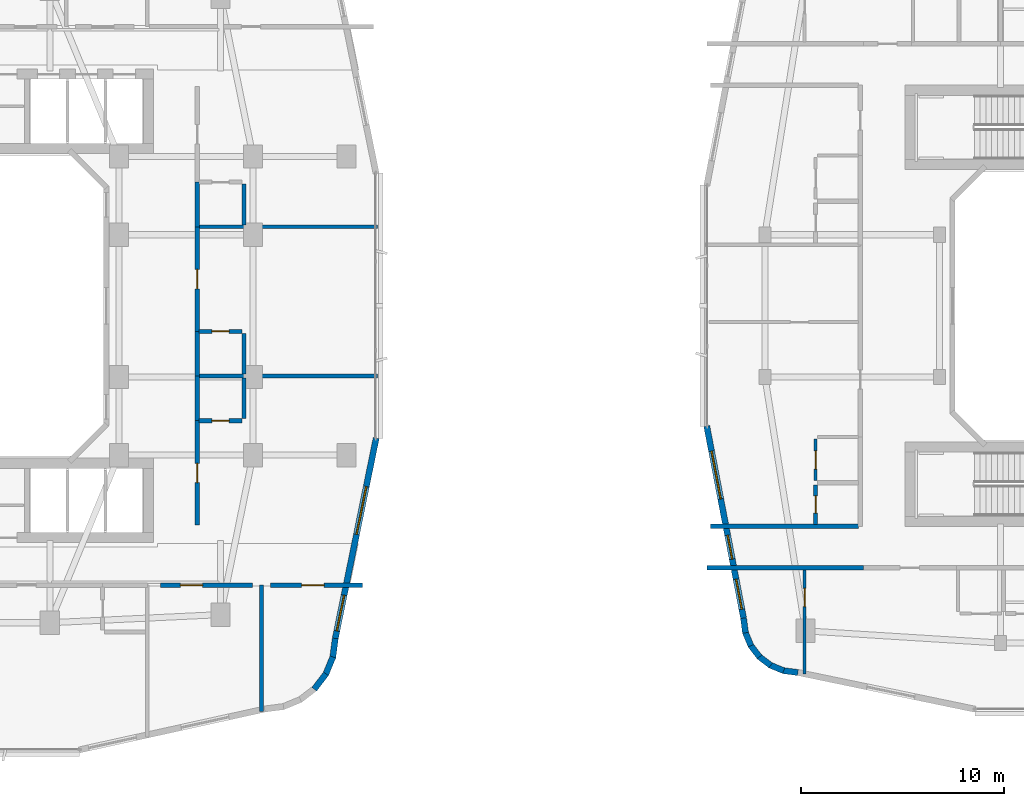
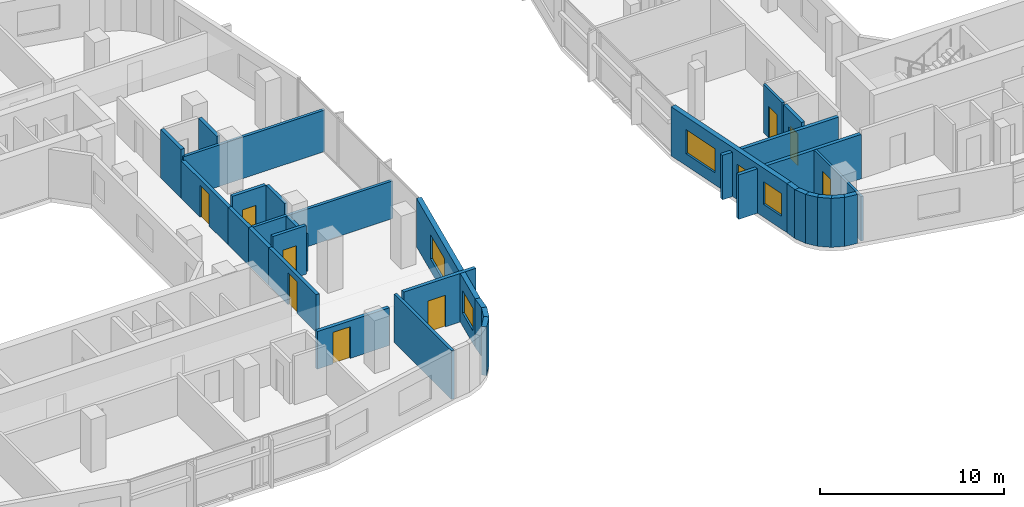
# One storey, part 15 of 27: 31 walls, 9 doors, 5 windows, 14 openings.
"""IFC4 building model written with IfcOpenShell, lengths in metres."""

import ifcopenshell
import ifcopenshell.guid

model = None  # the IFC model being written
_history = None  # IfcOwnerHistory: only IFC2X3 demands one
_inside = {}  # id of a spatial element -> (the spatial element, [elements in it])
_under = {}  # id of a project, library or spatial element -> (it, [spatial elements below it])
_declared = {}  # id of a project -> (the project, [libraries it declares])
_typed = {}  # id of a type object -> (the type object, [elements of that type])
_made_of = {}  # id of a material, layer set ... -> (it, [elements and type objects made of it])


def new_model(schema):
    """Start an empty IFC model of exactly this schema.

    Asked for "IFC4X3", IfcOpenShell would pick the latest addendum, in which some entities
    have other attributes; the version numbers below select the first issue.
    IFC2X3 requires an IfcOwnerHistory on every rooted entity: one is made here for all.
    """
    global model, _history
    if schema == "IFC4X3":
        model = ifcopenshell.file(schema_version=(4, 3, 0, 0))
    else:
        model = ifcopenshell.file(schema=schema)
    _inside.clear()
    _under.clear()
    _declared.clear()
    _typed.clear()
    _made_of.clear()
    _history = None
    if model.schema == "IFC2X3":
        org = make("IfcOrganization", Name="unknown")
        user = make(
            "IfcPersonAndOrganization",
            ThePerson=make("IfcPerson", FamilyName="unknown"),
            TheOrganization=org,
        )
        app = make(
            "IfcApplication",
            ApplicationDeveloper=org,
            Version="unknown",
            ApplicationFullName="unknown",
            ApplicationIdentifier="unknown",
        )
        _history = make(
            "IfcOwnerHistory",
            OwningUser=user,
            OwningApplication=app,
            ChangeAction="ADDED",
            CreationDate=0,
        )
    return model


def make(cls, **values):
    """One entity of the class cls with the attributes given. An attribute that is None is left unset."""
    return model.create_entity(
        cls, **{name: value for name, value in values.items() if value is not None}
    )


def rooted(cls, **values):
    """An entity with a GlobalId (a new one), such as an element, a storey or a relation."""
    return make(cls, GlobalId=ifcopenshell.guid.new(), OwnerHistory=_history, **values)


def si_unit(unit_type, name, prefix=None):
    """IfcSIUnit, for example si_unit("LENGTHUNIT", "METRE", prefix="MILLI")."""
    return make("IfcSIUnit", UnitType=unit_type, Prefix=prefix, Name=name)


def derived_unit(unit_type, elements):
    """IfcDerivedUnit: a product of units, each with its exponent."""
    return make(
        "IfcDerivedUnit",
        Elements=[
            make("IfcDerivedUnitElement", Unit=unit, Exponent=power)
            for unit, power in elements
        ],
        UnitType=unit_type,
    )


def assignment(units):
    """IfcUnitAssignment: the units of a project."""
    return None if units is None else make("IfcUnitAssignment", Units=units)


def point(xyz):
    """IfcCartesianPoint."""
    return None if xyz is None else make("IfcCartesianPoint", Coordinates=xyz)


def direction(xyz):
    """IfcDirection."""
    return None if xyz is None else make("IfcDirection", DirectionRatios=xyz)


def frame(location, z_axis=None, x_axis=None):
    """IfcAxis2Placement3D, a coordinate frame: its origin and axes. An axis left out is left unset."""
    return make(
        "IfcAxis2Placement3D",
        Location=point(location),
        Axis=direction(z_axis),
        RefDirection=direction(x_axis),
    )


def frame_2d(location, x_axis=None):
    """IfcAxis2Placement2D, a coordinate frame in the plane: its origin and x axis."""
    return make(
        "IfcAxis2Placement2D", Location=point(location), RefDirection=direction(x_axis)
    )


def origin():
    """The frame at (0, 0, 0) with its axes left unset."""
    return frame((0.0, 0.0, 0.0))


def place(relative_to, where):
    """IfcLocalPlacement: puts the frame where relative to a parent placement (None: the world)."""
    return make(
        "IfcLocalPlacement", PlacementRelTo=relative_to, RelativePlacement=where
    )


def context(
    kind, dimensions, precision=None, world=None, true_north=None, identifier=None
):
    """IfcGeometricRepresentationContext, for example the 3D "Model" context."""
    return make(
        "IfcGeometricRepresentationContext",
        ContextIdentifier=identifier,
        ContextType=kind,
        CoordinateSpaceDimension=dimensions,
        Precision=precision,
        WorldCoordinateSystem=world,
        TrueNorth=true_north,
    )


def subcontext(parent, identifier, kind, view, scale=None):
    """IfcGeometricRepresentationSubContext, for example "Body" below "Model"."""
    return make(
        "IfcGeometricRepresentationSubContext",
        ContextIdentifier=identifier,
        ContextType=kind,
        ParentContext=parent,
        TargetScale=scale,
        TargetView=view,
    )


def project(units=None, contexts=None):
    """IfcProject with its units and contexts."""
    return rooted(
        "IfcProject",
        Name="project",
        RepresentationContexts=contexts,
        UnitsInContext=assignment(units),
    )


def spatial(cls, under=None, at=None, **own):
    """A site, building, storey or space (cls), placed at a placement, below another one or the project."""
    s = rooted(cls, ObjectPlacement=at, **own)
    if under is not None:
        _under.setdefault(under.id(), (under, []))[1].append(s)
    return s


def profile(cls, at=None, kind="AREA", **sizes):
    """A parametric profile (cls). Its sizes go by their IFC names, for example OverallWidth=200.0."""
    return make(cls, ProfileType=kind, Position=at, **sizes)


def rectangle(**sizes):
    """IfcRectangleProfileDef."""
    return profile("IfcRectangleProfileDef", **sizes)


def extrude(swept, where, along, depth):
    """IfcExtrudedAreaSolid: the profile swept, set in the frame where, extruded along a direction by depth."""
    return make(
        "IfcExtrudedAreaSolid",
        SweptArea=swept,
        Position=where,
        ExtrudedDirection=direction(along),
        Depth=depth,
    )


def shape(context_of_items, identifier, shape_type, items):
    """IfcShapeRepresentation: the items that make up one representation, for example the "Body"."""
    return make(
        "IfcShapeRepresentation",
        ContextOfItems=context_of_items,
        RepresentationIdentifier=identifier,
        RepresentationType=shape_type,
        Items=items,
    )


def material(Name=None, Category=None):
    """IfcMaterial."""
    return make("IfcMaterial", Name=Name, Category=Category)


def layer(
    of_material, thickness, ventilated=None, Name=None, Category=None, Priority=None
):
    """IfcMaterialLayer: one layer of a wall or slab, of a material (None: an air gap)."""
    return make(
        "IfcMaterialLayer",
        Material=of_material,
        LayerThickness=thickness,
        IsVentilated=ventilated,
        Name=Name,
        Category=Category,
        Priority=Priority,
    )


def layer_set(layers, Name=None):
    """IfcMaterialLayerSet."""
    return make("IfcMaterialLayerSet", MaterialLayers=layers, LayerSetName=Name)


def made_of(thing, what):
    """Note that an element or type object is made of a material, layer set ...; save() writes the relation."""
    if what is not None:
        _made_of.setdefault(what.id(), (what, []))[1].append(thing)
    return thing


def type_object(cls, material=None, **own):
    """A type object (cls), such as IfcWallType, which elements share."""
    return made_of(rooted(cls, **own), material)


def element(
    cls,
    number,
    at=None,
    inside=None,
    cuts=None,
    type_object=None,
    material=None,
    context=None,
    identifier="Body",
    shape_type=None,
    held_by="IfcProductDefinitionShape",
    body=None,
    shapes=None,
    **own,
):
    """One element of the class cls, such as IfcWall. Its Tag is "e" and its number.

    at: its placement. inside: the storey or other place that contains it. cuts: it is an
    opening in that element (IfcRelVoidsElement). A single representation is given by context,
    identifier, shape_type and body (its items); several are given by shapes. held_by: the class
    of the entity that holds the representations. save() writes the other relations.
    """
    e = rooted(cls, Tag="e%d" % number, ObjectPlacement=at, **own)
    if body is not None:
        shapes = [shape(context, identifier, shape_type, body)]
    if shapes is not None:
        e.Representation = make(held_by, Representations=shapes)
    if inside is not None:
        _inside.setdefault(inside.id(), (inside, []))[1].append(e)
    if cuts is not None:
        rooted(
            "IfcRelVoidsElement", RelatingBuildingElement=cuts, RelatedOpeningElement=e
        )
    if type_object is not None:
        _typed.setdefault(type_object.id(), (type_object, []))[1].append(e)
    return made_of(e, material)


def fill(opening, filler):
    """IfcRelFillsElement: the door or window that sits in an opening."""
    return rooted(
        "IfcRelFillsElement",
        RelatingOpeningElement=opening,
        RelatedBuildingElement=filler,
    )


def aggregate(whole, parts):
    """IfcRelAggregates: a whole, such as a stair, and the parts it consists of."""
    return rooted("IfcRelAggregates", RelatingObject=whole, RelatedObjects=parts)


def save(model, path):
    """Write the relations noted so far, then the file.

    IfcRelAggregates (storeys below a building ...), IfcRelContainedInSpatialStructure (elements
    in a storey), IfcRelDefinesByType, IfcRelAssociatesMaterial and IfcRelDeclares: one each for
    every whole, place, type object, material and project.
    """
    for whole, parts in _under.values():
        aggregate(whole, parts)
    for where, things in _inside.values():
        rooted(
            "IfcRelContainedInSpatialStructure",
            RelatedElements=things,
            RelatingStructure=where,
        )
    for kind, things in _typed.values():
        rooted("IfcRelDefinesByType", RelatedObjects=things, RelatingType=kind)
    for what, things in _made_of.values():
        rooted("IfcRelAssociatesMaterial", RelatedObjects=things, RelatingMaterial=what)
    for by, libraries in _declared.values():
        rooted("IfcRelDeclares", RelatingContext=by, RelatedDefinitions=libraries)
    model.write(path)


model = new_model("IFC4")

# Units and contexts
model_context = context("Model", 3, precision=1e-05, world=origin(), true_north=direction((0.0, 1.0)))
body_context = subcontext(model_context, "Body", "Model", "MODEL_VIEW")
ifc_project = project(units=[si_unit("LENGTHUNIT", "METRE"), si_unit("AREAUNIT", "SQUARE_METRE"), si_unit("VOLUMEUNIT", "CUBIC_METRE"), si_unit("PLANEANGLEUNIT", "RADIAN"), si_unit("MASSUNIT", "GRAM", prefix="KILO"), derived_unit("THERMALTRANSMITTANCEUNIT", [(si_unit("POWERUNIT", "WATT"), 1), (si_unit("LENGTHUNIT", "METRE"), -2), (si_unit("THERMODYNAMICTEMPERATUREUNIT", "KELVIN"), -1)])], contexts=[model_context])

# Site, building, storey
site_placement = place(None, origin())
site = spatial("IfcSite", under=ifc_project, at=site_placement, CompositionType="ELEMENT")
building_placement = place(site_placement, origin())
building = spatial("IfcBuilding", under=site, at=building_placement, Name="Kivonza Crest Hotel", CompositionType="ELEMENT")
storey_placement = place(building_placement, frame((0.0, 0.0, 76.5)))
storey = spatial("IfcBuildingStorey", under=building, at=storey_placement, Name="L20", CompositionType="ELEMENT", Elevation=76.5)

# Walls
ifc_material_1 = material(Name="High-density acoustic masonry inter-tenancy wall", Category="masonry")
ifc_layer_1 = layer(ifc_material_1, 0.179931640625)
ifc_layer_set_1 = layer_set([ifc_layer_1], Name="High-density acoustic masonry inter-tenancy wall")
wall_type_1 = type_object("IfcWallType", Name="WL-ACOU-180", PredefinedType="SOLIDWALL", material=ifc_layer_set_1)
wall_1_placement = place(storey_placement, frame((36.219970703125, 5.02197265625, 0.0), z_axis=(0.0, 0.0, 1.0), x_axis=(0.0, 1.0, 0.0)))
element("IfcWall", 1, at=wall_1_placement, inside=storey, type_object=wall_type_1, Name="L20 interior partition WA-L20-T1S-SPDIV", PredefinedType="SOLIDWALL", context=body_context, shape_type="SweptSolid", body=[
    extrude(rectangle(XDim=6.22802734375, YDim=0.179931640625, at=frame_2d((3.114013671875, 0.0))), origin(), (0.0, 0.0, 1.0), 3.219970703125),
])
wall_2_placement = place(storey_placement, frame((33.050048828125, 21.5439453125, 0.0), z_axis=(0.0, 0.0, 1.0), x_axis=(1.0, 0.0, 0.0)))
element("IfcWall", 2, at=wall_2_placement, inside=storey, type_object=wall_type_1, Name="L20 interior partition WA-L20-T1E-DIV1", PredefinedType="SOLIDWALL", context=body_context, shape_type="SweptSolid", body=[
    extrude(rectangle(XDim=8.889892578125, YDim=0.179931640625, at=frame_2d((4.44482421875, 0.0))), origin(), (0.0, 0.0, 1.0), 2.4951171875),
])
wall_3_placement = place(storey_placement, frame((33.050048828125, 28.887939453125, 0.0), z_axis=(0.0, 0.0, 1.0), x_axis=(1.0, 0.0, 0.0)))
element("IfcWall", 3, at=wall_3_placement, inside=storey, type_object=wall_type_1, Name="L20 interior partition WA-L20-T1E-DIV2", PredefinedType="SOLIDWALL", context=body_context, shape_type="SweptSolid", body=[
    extrude(rectangle(XDim=8.889892578125, YDim=0.179931640625, at=frame_2d((4.44482421875, 0.0))), origin(), (0.0, 0.0, 1.0), 2.7451171875),
])

# Wall, opening, door
ifc_material_2 = material(Name="Autoclaved aerated concrete blockwork", Category="masonry")
ifc_layer_2 = layer(ifc_material_2, 0.219970703125)
ifc_layer_set_2 = layer_set([ifc_layer_2], Name="Autoclaved aerated concrete blockwork")
wall_type_2 = type_object("IfcWallType", Name="WL-ACOU-220", PredefinedType="SOLIDWALL", material=ifc_layer_set_2)
wall_4_placement = place(storey_placement, frame((31.25, 11.25, 0.0), z_axis=(0.0, 0.0, 1.0), x_axis=(1.0, 0.0, 0.0)))
wall_4 = element("IfcWall", 4, at=wall_4_placement, inside=storey, type_object=wall_type_2, Name="L20 interior partition WA-L20-Z1-BRD1-N", PredefinedType="SOLIDWALL", context=body_context, shape_type="SweptSolid", body=[
    extrude(rectangle(XDim=4.52001953125, YDim=0.219970703125, at=frame_2d((2.260009765625, 0.0))), origin(), (0.0, 0.0, 1.0), 2.4951171875),
])
opening_1_placement = place(wall_4_placement, frame((0.968994140625, 0.0, 0.0)))
opening_1 = element("IfcOpeningElement", 5, at=opening_1_placement, cuts=wall_4, Name="Opening DF-60M", PredefinedType="OPENING", context=body_context, shape_type="SweptSolid", body=[
    extrude(rectangle(XDim=1.10009765625, YDim=2.10009765625, at=frame_2d((0.550048828125, 1.050048828125))), frame((0.0, 0.1201171875, 0.0), z_axis=(0.0, -1.0, 0.0), x_axis=(1.0, 0.0, 0.0)), (0.0, 0.0, 1.0), 0.239990234375),
])
ifc_material_3 = material(Name="Hardwood timber oak", Category="wood")
door_type_1 = type_object("IfcDoorType", Name="DR-FD60-1100", OperationType="NOTDEFINED", PredefinedType="DOOR", material=ifc_material_3)
door_1_placement = place(opening_1_placement, frame((1.10009765625, 0.0, 0.0), z_axis=(0.0, 0.0, 1.0), x_axis=(-1.0, 0.0, 0.0)))
door_1 = element("IfcDoor", 6, at=door_1_placement, inside=storey, type_object=door_type_1, Name="L20 Zone 1 Executive Meeting Office door", OperationType="SINGLE_SWING_RIGHT", OverallHeight=2.10009765625, OverallWidth=1.10009765625, PredefinedType="DOOR", context=body_context, shape_type="SweptSolid", body=[
    extrude(rectangle(XDim=1.10009765625, YDim=2.10009765625, at=frame_2d((0.550048828125, 1.050048828125))), frame((0.0, 0.02490234375, 0.0), z_axis=(0.0, -1.0, 0.0), x_axis=(1.0, 0.0, 0.0)), (0.0, 0.0, 1.0), 0.050048828125),
])
fill(opening_1, door_1)

wall_5_placement = place(storey_placement, frame((36.669921875, 11.25, 0.0), z_axis=(0.0, 0.0, 1.0), x_axis=(1.0, 0.0, 0.0)))
wall_5 = element("IfcWall", 7, at=wall_5_placement, inside=storey, type_object=wall_type_2, Name="L20 interior partition WA-L20-Z1-BRD2-N", PredefinedType="SOLIDWALL", context=body_context, shape_type="SweptSolid", body=[
    extrude(rectangle(XDim=4.52001953125, YDim=0.219970703125, at=frame_2d((2.260009765625, 0.0))), origin(), (0.0, 0.0, 1.0), 3.219970703125),
])
opening_2_placement = place(wall_5_placement, frame((1.529052734375, 0.0, 0.0)))
opening_2 = element("IfcOpeningElement", 8, at=opening_2_placement, cuts=wall_5, Name="Opening DF-60M", PredefinedType="OPENING", context=body_context, shape_type="SweptSolid", body=[
    extrude(rectangle(XDim=1.10009765625, YDim=2.10009765625, at=frame_2d((0.550048828125, 1.050048828125))), frame((0.0, 0.1201171875, 0.0), z_axis=(0.0, -1.0, 0.0), x_axis=(1.0, 0.0, 0.0)), (0.0, 0.0, 1.0), 0.239990234375),
])
door_2_placement = place(opening_2_placement, frame((1.10009765625, 0.0, 0.0), z_axis=(0.0, 0.0, 1.0), x_axis=(-1.0, 0.0, 0.0)))
door_2 = element("IfcDoor", 9, at=door_2_placement, inside=storey, type_object=door_type_1, Name="L20 Zone 1 Business Study Office door", OperationType="SINGLE_SWING_LEFT", OverallHeight=2.10009765625, OverallWidth=1.10009765625, PredefinedType="DOOR", context=body_context, shape_type="SweptSolid", body=[
    extrude(rectangle(XDim=1.10009765625, YDim=2.10009765625, at=frame_2d((0.550048828125, 1.050048828125))), frame((0.0, 0.02490234375, 0.0), z_axis=(0.0, -1.0, 0.0), x_axis=(1.0, 0.0, 0.0)), (0.0, 0.0, 1.0), 0.050048828125),
])
fill(opening_2, door_2)

# Wall
wall_6_placement = place(storey_placement, frame((33.050048828125, 19.343994140625, 0.0), z_axis=(0.0, 0.0, 1.0), x_axis=(0.0, 1.0, 0.0)))
element("IfcWall", 10, at=wall_6_placement, inside=storey, type_object=wall_type_2, Name="L20 interior partition WA-L20-E06-BCORR", PredefinedType="SOLIDWALL", context=body_context, shape_type="SweptSolid", body=[
    extrude(rectangle(XDim=2.199951171875, YDim=0.219970703125, at=frame_2d((1.10009765625, 0.0))), origin(), (0.0, 0.0, 1.0), 2.4951171875),
])

# Wall, opening, door
wall_7_placement = place(storey_placement, frame((33.050048828125, 14.199951171875, 0.0), z_axis=(0.0, 0.0, 1.0), x_axis=(0.0, 1.0, 0.0)))
wall_7 = element("IfcWall", 11, at=wall_7_placement, inside=storey, type_object=wall_type_2, Name="L20 interior partition WA-L20-E06-MCORR", PredefinedType="SOLIDWALL", context=body_context, shape_type="SweptSolid", body=[
    extrude(rectangle(XDim=5.14404296875, YDim=0.219970703125, at=frame_2d((2.572021484375, 0.0))), origin(), (0.0, 0.0, 1.0), 2.4951171875),
])
opening_3_placement = place(wall_7_placement, frame((2.096923828125, 0.0, 0.0)))
opening_3 = element("IfcOpeningElement", 12, at=opening_3_placement, cuts=wall_7, Name="Opening DU-60", PredefinedType="OPENING", context=body_context, shape_type="SweptSolid", body=[
    extrude(rectangle(XDim=0.949951171875, YDim=2.10009765625, at=frame_2d((0.47509765625, 1.050048828125))), frame((0.0, 0.1201171875, 0.0), z_axis=(0.0, -1.0, 0.0), x_axis=(1.0, 0.0, 0.0)), (0.0, 0.0, 1.0), 0.239990234375),
])
door_type_2 = type_object("IfcDoorType", Name="DR-UNIT-950", OperationType="NOTDEFINED", PredefinedType="DOOR", material=ifc_material_3)
door_3_placement = place(opening_3_placement, frame((0.949951171875, 0.0, 0.0), z_axis=(0.0, 0.0, 1.0), x_axis=(-1.0, 0.0, 0.0)))
door_3 = element("IfcDoor", 13, at=door_3_placement, inside=storey, type_object=door_type_2, Name="L20 E06 guest unit entrance fire door", OperationType="SINGLE_SWING_RIGHT", OverallHeight=2.10009765625, OverallWidth=0.949951171875, PredefinedType="DOOR", context=body_context, shape_type="SweptSolid", body=[
    extrude(rectangle(XDim=0.949951171875, YDim=2.10009765625, at=frame_2d((0.47509765625, 1.050048828125))), frame((0.0, 0.02490234375, 0.0), z_axis=(0.0, -1.0, 0.0), x_axis=(1.0, 0.0, 0.0)), (0.0, 0.0, 1.0), 0.050048828125),
])
fill(opening_3, door_3)

# Wall
wall_8_placement = place(storey_placement, frame((33.050048828125, 21.5439453125, 0.0), z_axis=(0.0, 0.0, 1.0), x_axis=(0.0, 1.0, 0.0)))
element("IfcWall", 14, at=wall_8_placement, inside=storey, type_object=wall_type_2, Name="L20 interior partition WA-L20-E07-BCORR", PredefinedType="SOLIDWALL", context=body_context, shape_type="SweptSolid", body=[
    extrude(rectangle(XDim=2.199951171875, YDim=0.219970703125, at=frame_2d((1.10009765625, 0.0))), origin(), (0.0, 0.0, 1.0), 2.4951171875),
])

# Wall, opening, door
wall_9_placement = place(storey_placement, frame((33.050048828125, 23.743896484375, 0.0), z_axis=(0.0, 0.0, 1.0), x_axis=(0.0, 1.0, 0.0)))
wall_9 = element("IfcWall", 15, at=wall_9_placement, inside=storey, type_object=wall_type_2, Name="L20 interior partition WA-L20-E07-MCORR", PredefinedType="SOLIDWALL", context=body_context, shape_type="SweptSolid", body=[
    extrude(rectangle(XDim=5.14404296875, YDim=0.219970703125, at=frame_2d((2.572021484375, 0.0))), origin(), (0.0, 0.0, 1.0), 2.4951171875),
])
opening_4_placement = place(wall_9_placement, frame((2.096923828125, 0.0, 0.0)))
opening_4 = element("IfcOpeningElement", 16, at=opening_4_placement, cuts=wall_9, Name="Opening DU-60", PredefinedType="OPENING", context=body_context, shape_type="SweptSolid", body=[
    extrude(rectangle(XDim=0.949951171875, YDim=2.10009765625, at=frame_2d((0.47509765625, 1.050048828125))), frame((0.0, 0.1201171875, 0.0), z_axis=(0.0, -1.0, 0.0), x_axis=(1.0, 0.0, 0.0)), (0.0, 0.0, 1.0), 0.239990234375),
])
door_4_placement = place(opening_4_placement, frame((0.949951171875, 0.0, 0.0), z_axis=(0.0, 0.0, 1.0), x_axis=(-1.0, 0.0, 0.0)))
door_4 = element("IfcDoor", 17, at=door_4_placement, inside=storey, type_object=door_type_2, Name="L20 E07 guest unit entrance fire door", OperationType="SINGLE_SWING_LEFT", OverallHeight=2.10009765625, OverallWidth=0.949951171875, PredefinedType="DOOR", context=body_context, shape_type="SweptSolid", body=[
    extrude(rectangle(XDim=0.949951171875, YDim=2.10009765625, at=frame_2d((0.47509765625, 1.050048828125))), frame((0.0, 0.02490234375, 0.0), z_axis=(0.0, -1.0, 0.0), x_axis=(1.0, 0.0, 0.0)), (0.0, 0.0, 1.0), 0.050048828125),
])
fill(opening_4, door_4)

# Walls
wall_10_placement = place(storey_placement, frame((33.050048828125, 28.887939453125, 0.0), z_axis=(0.0, 0.0, 1.0), x_axis=(0.0, 1.0, 0.0)))
element("IfcWall", 18, at=wall_10_placement, inside=storey, type_object=wall_type_2, Name="L20 interior partition WA-L20-E08-BCORR", PredefinedType="SOLIDWALL", context=body_context, shape_type="SweptSolid", body=[
    extrude(rectangle(XDim=2.199951171875, YDim=0.219970703125, at=frame_2d((1.10009765625, 0.0))), origin(), (0.0, 0.0, 1.0), 3.219970703125),
])
wall_11_placement = place(storey_placement, frame((58.159912109375, 12.10009765625, 0.0), z_axis=(0.0, 0.0, 1.0), x_axis=(1.0, 0.0, 0.0)))
element("IfcWall", 19, at=wall_11_placement, inside=storey, type_object=wall_type_2, Name="L20 interior partition WA-L20-A04-LCORR", PredefinedType="SOLIDWALL", context=body_context, shape_type="SweptSolid", body=[
    extrude(rectangle(XDim=7.690185546875, YDim=0.219970703125, at=frame_2d((3.84521484375, 0.0))), origin(), (0.0, 0.0, 1.0), 2.945068359375),
])
wall_12_placement = place(storey_placement, frame((58.320068359375, 14.139892578125, 0.0), z_axis=(0.0, 0.0, 1.0), x_axis=(1.0, 0.0, 0.0)))
element("IfcWall", 20, at=wall_12_placement, inside=storey, type_object=wall_type_2, Name="L20 interior partition WA-L20-T2W-ENDS", PredefinedType="SOLIDWALL", context=body_context, shape_type="SweptSolid", body=[
    extrude(rectangle(XDim=7.280029296875, YDim=0.219970703125, at=frame_2d((3.64013671875, 0.0))), origin(), (0.0, 0.0, 1.0), 2.945068359375),
])
ifc_material_4 = material(Name="Precast concrete C40/50", Category="concrete")
ifc_layer_3 = layer(ifc_material_4, 0.300048828125)
ifc_layer_set_3 = layer_set([ifc_layer_3], Name="Precast concrete C40/50")
wall_type_3 = type_object("IfcWallType", Name="WL-EXT-300", PredefinedType="STANDARD", material=ifc_layer_set_3)
wall_13_placement = place(storey_placement, frame((38.81201171875, 6.125, 0.0), z_axis=(0.0, 0.0, 1.0), x_axis=(0.608351047625, 0.793668068435, 0.0)))
element("IfcWall", 21, at=wall_13_placement, inside=storey, type_object=wall_type_3, Name="L20 T1 exterior insulated wall 13", PredefinedType="STANDARD", context=body_context, shape_type="SweptSolid", body=[
    extrude(rectangle(XDim=0.955078125, YDim=0.300048828125, at=frame_2d((0.4775390625, 0.0))), origin(), (0.0, 0.0, 1.0), 3.219970703125),
])
wall_14_placement = place(storey_placement, frame((39.368896484375, 6.833984375, 0.0), z_axis=(0.0, 0.0, 1.0), x_axis=(0.382344263057, 0.924019948111, 0.0)))
element("IfcWall", 22, at=wall_14_placement, inside=storey, type_object=wall_type_3, Name="L20 T1 exterior insulated wall 14", PredefinedType="STANDARD", context=body_context, shape_type="SweptSolid", body=[
    extrude(rectangle(XDim=0.95458984375, YDim=0.300048828125, at=frame_2d((0.477294921875, 0.0))), origin(), (0.0, 0.0, 1.0), 3.219970703125),
])
wall_15_placement = place(storey_placement, frame((39.72509765625, 7.6630859375, 0.0), z_axis=(0.0, 0.0, 1.0), x_axis=(0.130454512571, 0.991454295543, 0.0)))
element("IfcWall", 23, at=wall_15_placement, inside=storey, type_object=wall_type_3, Name="L20 T1 exterior insulated wall 15", PredefinedType="STANDARD", context=body_context, shape_type="SweptSolid", body=[
    extrude(rectangle(XDim=0.97314453125, YDim=0.300048828125, at=frame_2d((0.486572265625, 0.0))), origin(), (0.0, 0.0, 1.0), 3.219970703125),
])

# Wall, openings, windows
wall_16_placement = place(storey_placement, frame((39.85107421875, 8.6220703125, 0.0), z_axis=(0.0, 0.0, 1.0), x_axis=(0.199990901713, 0.979797754249, 0.0)))
wall_16 = element("IfcWall", 24, at=wall_16_placement, inside=storey, type_object=wall_type_3, Name="L20 T1 exterior insulated wall 16", PredefinedType="STANDARD", context=body_context, shape_type="SweptSolid", body=[
    extrude(rectangle(XDim=10.065185546875, YDim=0.300048828125, at=frame_2d((5.03271484375, 0.0))), origin(), (0.0, 0.0, 1.0), 3.219970703125),
])
opening_5_placement = place(wall_16_placement, frame((0.3779296875, 0.0, 0.85009765625)))
opening_5 = element("IfcOpeningElement", 25, at=opening_5_placement, cuts=wall_16, Name="Opening WN-03", PredefinedType="OPENING", context=body_context, shape_type="SweptSolid", body=[
    extrude(rectangle(XDim=1.800048828125, YDim=1.5, at=frame_2d((0.89990234375, 0.75))), frame((0.0, 0.16015625, 0.0), z_axis=(0.0, -1.0, 0.0), x_axis=(1.0, 0.0, 0.0)), (0.0, 0.0, 1.0), 0.320068359375),
])
opening_6_placement = place(wall_16_placement, frame((5.236083984375, 0.0, 0.800048828125)))
opening_6 = element("IfcOpeningElement", 26, at=opening_6_placement, cuts=wall_16, Name="Opening WN-05", PredefinedType="OPENING", context=body_context, shape_type="SweptSolid", body=[
    extrude(rectangle(XDim=2.39990234375, YDim=1.60009765625, at=frame_2d((1.199951171875, 0.800048828125))), frame((0.0, 0.16015625, 0.0), z_axis=(0.0, -1.0, 0.0), x_axis=(1.0, 0.0, 0.0)), (0.0, 0.0, 1.0), 0.320068359375),
])
ifc_material_5 = material(Name="Thermally broken bronze aluminium and low-E double glazing", Category="aluminium")
window_type_1 = type_object("IfcWindowType", Name="WN-180x150", PartitioningType="DOUBLE_PANEL_VERTICAL", PredefinedType="WINDOW", material=ifc_material_5)
window_1_placement = place(opening_5_placement, origin())
window_1 = element("IfcWindow", 27, at=window_1_placement, inside=storey, type_object=window_type_1, Name="L20 T1 facade window 16 bay 1", OverallHeight=1.5, OverallWidth=1.800048828125, PartitioningType="SINGLE_PANEL", PredefinedType="WINDOW", context=body_context, shape_type="SweptSolid", body=[
    extrude(rectangle(XDim=1.800048828125, YDim=1.5, at=frame_2d((0.89990234375, 0.75))), frame((0.0, 0.030029296875, 0.0), z_axis=(0.0, -1.0, 0.0), x_axis=(1.0, 0.0, 0.0)), (0.0, 0.0, 1.0), 0.06005859375),
])
fill(opening_5, window_1)
window_type_2 = type_object("IfcWindowType", Name="WN-240x160", PartitioningType="TRIPLE_PANEL_VERTICAL", PredefinedType="WINDOW", material=ifc_material_5)
window_2_placement = place(opening_6_placement, origin())
window_2 = element("IfcWindow", 28, at=window_2_placement, inside=storey, type_object=window_type_2, Name="L20 T1 facade window 16 bay 2", OverallHeight=1.60009765625, OverallWidth=2.39990234375, PartitioningType="SINGLE_PANEL", PredefinedType="WINDOW", context=body_context, shape_type="SweptSolid", body=[
    extrude(rectangle(XDim=2.39990234375, YDim=1.60009765625, at=frame_2d((1.199951171875, 0.800048828125))), frame((0.0, 0.030029296875, 0.0), z_axis=(0.0, -1.0, 0.0), x_axis=(1.0, 0.0, 0.0)), (0.0, 0.0, 1.0), 0.06005859375),
])
fill(opening_6, window_2)

# Walls
wall_17_placement = place(storey_placement, frame((59.947998046875, 9.626953125, 0.0), z_axis=(0.0, 0.0, 1.0), x_axis=(0.130255288807, -0.991480488834, 0.0)))
element("IfcWall", 29, at=wall_17_placement, inside=storey, type_object=wall_type_3, Name="L20 T2 exterior insulated wall 1", PredefinedType="STANDARD", context=body_context, shape_type="SweptSolid", body=[
    extrude(rectangle(XDim=0.72900390625, YDim=0.300048828125, at=frame_2d((0.364501953125, 0.0))), origin(), (0.0, 0.0, 1.0), 3.25),
])
for number, where, z_axis, x_axis, name in (
    (30, (60.02392578125, 8.955078125, 0.0), (0.0, 0.0, 1.0), (0.383546213491, -0.923521684703, 0.0), "L20 T2 exterior insulated wall 2"),
    (31, (60.279052734375, 8.31103515625, 0.0), (0.0, 0.0, 1.0), (0.608397189915, -0.79363269798, 0.0), "L20 T2 exterior insulated wall 3"),
    (32, (60.69091796875, 7.75390625, 0.0), (0.0, 0.0, 1.0), (0.79363269798, -0.608397189915, 0.0), "L20 T2 exterior insulated wall 4"),
    (33, (61.23388671875, 7.323974609375, 0.0), (0.0, 0.0, 1.0), (0.923685632463, -0.383151213466, 0.0), "L20 T2 exterior insulated wall 5"),
):
    element("IfcWall", number, at=place(storey_placement, frame(where, z_axis=z_axis, x_axis=x_axis)), inside=storey, type_object=wall_type_3, Name=name, PredefinedType="STANDARD", context=body_context, shape_type="SweptSolid", body=[
        extrude(rectangle(XDim=0.74609375, YDim=0.300048828125, at=frame_2d((0.373046875, 0.0))), origin(), (0.0, 0.0, 1.0), 3.25),
    ])
wall_18_placement = place(storey_placement, frame((61.868896484375, 7.047119140625, 0.0), z_axis=(0.0, 0.0, 1.0), x_axis=(0.991559404866, -0.129653178221, 0.0)))
element("IfcWall", 34, at=wall_18_placement, inside=storey, type_object=wall_type_3, Name="L20 T2 exterior insulated wall 6", PredefinedType="STANDARD", context=body_context, shape_type="SweptSolid", body=[
    extrude(rectangle(XDim=0.764404296875, YDim=0.300048828125, at=frame_2d((0.38232421875, 0.0))), origin(), (0.0, 0.0, 1.0), 3.25),
])

# Wall, openings, windows
wall_19_placement = place(storey_placement, frame((58.136962890625, 19.08203125, 0.0), z_axis=(0.0, 0.0, 1.0), x_axis=(0.188087874316, -0.982152203854, 0.0)))
wall_19 = element("IfcWall", 35, at=wall_19_placement, inside=storey, type_object=wall_type_3, Name="L20 T2 exterior insulated wall 36", PredefinedType="STANDARD", context=body_context, shape_type="SweptSolid", body=[
    extrude(rectangle(XDim=9.6337890625, YDim=0.300048828125, at=frame_2d((4.81689453125, 0.0))), origin(), (0.0, 0.0, 1.0), 3.25),
])
opening_7_placement = place(wall_19_placement, frame((1.2548828125, 0.0, 0.800048828125)))
opening_7 = element("IfcOpeningElement", 36, at=opening_7_placement, cuts=wall_19, Name="Opening WN-05", PredefinedType="OPENING", context=body_context, shape_type="SweptSolid", body=[
    extrude(rectangle(XDim=2.39990234375, YDim=1.60009765625, at=frame_2d((1.199951171875, 0.800048828125))), frame((0.0, 0.16015625, 0.0), z_axis=(0.0, -1.0, 0.0), x_axis=(1.0, 0.0, 0.0)), (0.0, 0.0, 1.0), 0.320068359375),
])
opening_8_placement = place(wall_19_placement, frame((5.469970703125, 0.0, 0.85009765625)))
opening_8 = element("IfcOpeningElement", 37, at=opening_8_placement, cuts=wall_19, Name="Opening WN-01", PredefinedType="OPENING", context=body_context, shape_type="SweptSolid", body=[
    extrude(rectangle(XDim=1.199951171875, YDim=1.5, at=frame_2d((0.60009765625, 0.75))), frame((0.0, 0.16015625, 0.0), z_axis=(0.0, -1.0, 0.0), x_axis=(1.0, 0.0, 0.0)), (0.0, 0.0, 1.0), 0.320068359375),
])
opening_9_placement = place(wall_19_placement, frame((7.681884765625, 0.0, 0.85009765625)))
opening_9 = element("IfcOpeningElement", 38, at=opening_9_placement, cuts=wall_19, Name="Opening WN-02", PredefinedType="OPENING", context=body_context, shape_type="SweptSolid", body=[
    extrude(rectangle(XDim=1.5, YDim=1.5, at=frame_2d((0.75, 0.75))), frame((0.0, 0.16015625, 0.0), z_axis=(0.0, -1.0, 0.0), x_axis=(1.0, 0.0, 0.0)), (0.0, 0.0, 1.0), 0.320068359375),
])
window_type_3 = type_object("IfcWindowType", Name="WN-120x150", PartitioningType="SINGLE_PANEL", PredefinedType="WINDOW", material=ifc_material_5)
window_3_placement = place(opening_8_placement, origin())
window_3 = element("IfcWindow", 39, at=window_3_placement, inside=storey, type_object=window_type_3, Name="L20 T2 facade window 36 bay 2", OverallHeight=1.5, OverallWidth=1.199951171875, PartitioningType="SINGLE_PANEL", PredefinedType="WINDOW", context=body_context, shape_type="SweptSolid", body=[
    extrude(rectangle(XDim=1.199951171875, YDim=1.5, at=frame_2d((0.60009765625, 0.75))), frame((0.0, 0.030029296875, 0.0), z_axis=(0.0, -1.0, 0.0), x_axis=(1.0, 0.0, 0.0)), (0.0, 0.0, 1.0), 0.06005859375),
])
fill(opening_8, window_3)
window_type_4 = type_object("IfcWindowType", Name="WN-150x150", PartitioningType="DOUBLE_PANEL_VERTICAL", PredefinedType="WINDOW", material=ifc_material_5)
window_4_placement = place(opening_9_placement, origin())
window_4 = element("IfcWindow", 40, at=window_4_placement, inside=storey, type_object=window_type_4, Name="L20 T2 facade window 36 bay 3", OverallHeight=1.5, OverallWidth=1.5, PartitioningType="SINGLE_PANEL", PredefinedType="WINDOW", context=body_context, shape_type="SweptSolid", body=[
    extrude(rectangle(XDim=1.5, YDim=1.5, at=frame_2d((0.75, 0.75))), frame((0.0, 0.030029296875, 0.0), z_axis=(0.0, -1.0, 0.0), x_axis=(1.0, 0.0, 0.0)), (0.0, 0.0, 1.0), 0.06005859375),
])
fill(opening_9, window_4)
window_5_placement = place(opening_7_placement, origin())
window_5 = element("IfcWindow", 41, at=window_5_placement, inside=storey, type_object=window_type_2, Name="L20 T2 facade window 36 bay 1", OverallHeight=1.60009765625, OverallWidth=2.39990234375, PartitioningType="SINGLE_PANEL", PredefinedType="WINDOW", context=body_context, shape_type="SweptSolid", body=[
    extrude(rectangle(XDim=2.39990234375, YDim=1.60009765625, at=frame_2d((1.199951171875, 0.800048828125))), frame((0.0, 0.030029296875, 0.0), z_axis=(0.0, -1.0, 0.0), x_axis=(1.0, 0.0, 0.0)), (0.0, 0.0, 1.0), 0.06005859375),
])
fill(opening_7, window_5)

# Wall, opening, door
ifc_material_6 = material(Name="Twin-stud acoustic gypsum board partition", Category="gypsum")
ifc_layer_4 = layer(ifc_material_6, 0.14990234375)
ifc_layer_set_4 = layer_set([ifc_layer_4], Name="Twin-stud acoustic gypsum board partition")
wall_type_4 = type_object("IfcWallType", Name="WL-PART-150", PredefinedType="PARTITIONING", material=ifc_layer_set_4)
wall_20_placement = place(storey_placement, frame((62.9599609375, 6.886962890625, 0.0), z_axis=(0.0, 0.0, 1.0), x_axis=(0.0, 1.0, 0.0)))
wall_20 = element("IfcWall", 42, at=wall_20_placement, inside=storey, type_object=wall_type_4, Name="L20 interior partition WP-L20-A04-BDW1", PredefinedType="PARTITIONING", context=body_context, shape_type="SweptSolid", body=[
    extrude(rectangle(XDim=5.113037109375, YDim=0.14990234375, at=frame_2d((2.556640625, 0.0))), origin(), (0.0, 0.0, 1.0), 2.945068359375),
])
opening_10_placement = place(wall_20_placement, frame((3.31005859375, 0.0, 0.0)))
opening_10 = element("IfcOpeningElement", 43, at=opening_10_placement, cuts=wall_20, Name="Opening DI-90", PredefinedType="OPENING", context=body_context, shape_type="SweptSolid", body=[
    extrude(rectangle(XDim=0.89990234375, YDim=2.10009765625, at=frame_2d((0.449951171875, 1.050048828125))), frame((0.0, 0.0849609375, 0.0), z_axis=(0.0, -1.0, 0.0), x_axis=(1.0, 0.0, 0.0)), (0.0, 0.0, 1.0), 0.169921875),
])
door_type_3 = type_object("IfcDoorType", Name="DR-INT-900", OperationType="NOTDEFINED", PredefinedType="DOOR", material=ifc_material_3)
door_5_placement = place(opening_10_placement, origin())
door_5 = element("IfcDoor", 44, at=door_5_placement, inside=storey, type_object=door_type_3, Name="L20 A04 bedroom 1 door", OperationType="SINGLE_SWING_LEFT", OverallHeight=2.10009765625, OverallWidth=0.89990234375, PredefinedType="DOOR", context=body_context, shape_type="SweptSolid", body=[
    extrude(rectangle(XDim=0.89990234375, YDim=2.10009765625, at=frame_2d((0.449951171875, 1.050048828125))), frame((0.0, 0.02490234375, 0.0), z_axis=(0.0, -1.0, 0.0), x_axis=(1.0, 0.0, 0.0)), (0.0, 0.0, 1.0), 0.050048828125),
])
fill(opening_10, door_5)

wall_21_placement = place(storey_placement, frame((63.5, 16.389892578125, 0.0), z_axis=(0.0, 0.0, 1.0), x_axis=(0.0, 1.0, 0.0)))
wall_21 = element("IfcWall", 45, at=wall_21_placement, inside=storey, type_object=wall_type_4, Name="L20 interior partition WP-L20-A06-KSVC", PredefinedType="PARTITIONING", context=body_context, shape_type="SweptSolid", body=[
    extrude(rectangle(XDim=2.050048828125, YDim=0.14990234375, at=frame_2d((1.02490234375, 0.0))), origin(), (0.0, 0.0, 1.0), 3.219970703125),
])
opening_11_placement = place(wall_21_placement, frame((0.574951171875, 0.0, 0.0)))
opening_11 = element("IfcOpeningElement", 46, at=opening_11_placement, cuts=wall_21, Name="Opening DI-90", PredefinedType="OPENING", context=body_context, shape_type="SweptSolid", body=[
    extrude(rectangle(XDim=0.89990234375, YDim=2.10009765625, at=frame_2d((0.449951171875, 1.050048828125))), frame((0.0, 0.0849609375, 0.0), z_axis=(0.0, -1.0, 0.0), x_axis=(1.0, 0.0, 0.0)), (0.0, 0.0, 1.0), 0.169921875),
])
door_6_placement = place(opening_11_placement, origin())
door_6 = element("IfcDoor", 47, at=door_6_placement, inside=storey, type_object=door_type_3, Name="L20 A06 apartment kitchen door", OperationType="SINGLE_SWING_RIGHT", OverallHeight=2.10009765625, OverallWidth=0.89990234375, PredefinedType="DOOR", context=body_context, shape_type="SweptSolid", body=[
    extrude(rectangle(XDim=0.89990234375, YDim=2.10009765625, at=frame_2d((0.449951171875, 1.050048828125))), frame((0.0, 0.02490234375, 0.0), z_axis=(0.0, -1.0, 0.0), x_axis=(1.0, 0.0, 0.0)), (0.0, 0.0, 1.0), 0.050048828125),
])
fill(opening_11, door_6)

ifc_material_7 = material(Name="Moisture-resistant plumbing chase partition wall", Category="gypsum")
ifc_layer_5 = layer(ifc_material_7, 0.199951171875)
ifc_layer_set_5 = layer_set([ifc_layer_5], Name="Moisture-resistant plumbing chase partition wall")
wall_type_5 = type_object("IfcWallType", Name="WL-PLUMB-200", PredefinedType="PLUMBINGWALL", material=ifc_layer_set_5)
wall_22_placement = place(storey_placement, frame((33.14990234375, 19.343994140625, 0.0), z_axis=(0.0, 0.0, 1.0), x_axis=(1.0, 0.0, 0.0)))
wall_22 = element("IfcWall", 48, at=wall_22_placement, inside=storey, type_object=wall_type_5, Name="L20 interior partition WW-L20-E06-BH", PredefinedType="PLUMBINGWALL", context=body_context, shape_type="SweptSolid", body=[
    extrude(rectangle(XDim=2.10009765625, YDim=0.199951171875, at=frame_2d((1.050048828125, 0.0))), origin(), (0.0, 0.0, 1.0), 3.219970703125),
])
opening_12_placement = place(wall_22_placement, frame((0.625, 0.0, 0.0)))
opening_12 = element("IfcOpeningElement", 49, at=opening_12_placement, cuts=wall_22, Name="Opening DI-85", PredefinedType="OPENING", context=body_context, shape_type="SweptSolid", body=[
    extrude(rectangle(XDim=0.85009765625, YDim=2.10009765625, at=frame_2d((0.425048828125, 1.050048828125))), frame((0.0, 0.10986328125, 0.0), z_axis=(0.0, -1.0, 0.0), x_axis=(1.0, 0.0, 0.0)), (0.0, 0.0, 1.0), 0.219970703125),
])
door_type_4 = type_object("IfcDoorType", Name="DR-INT-850", OperationType="NOTDEFINED", PredefinedType="DOOR", material=ifc_material_3)
door_7_placement = place(opening_12_placement, frame((0.85009765625, 0.0, 0.0), z_axis=(0.0, 0.0, 1.0), x_axis=(-1.0, 0.0, 0.0)))
door_7 = element("IfcDoor", 50, at=door_7_placement, inside=storey, type_object=door_type_4, Name="L20 E06 en-suite bathroom door", OperationType="SINGLE_SWING_LEFT", OverallHeight=2.10009765625, OverallWidth=0.85009765625, PredefinedType="DOOR", context=body_context, shape_type="SweptSolid", body=[
    extrude(rectangle(XDim=0.85009765625, YDim=2.10009765625, at=frame_2d((0.425048828125, 1.050048828125))), frame((0.0, 0.02490234375, 0.0), z_axis=(0.0, -1.0, 0.0), x_axis=(1.0, 0.0, 0.0)), (0.0, 0.0, 1.0), 0.050048828125),
])
fill(opening_12, door_7)

# Wall
wall_23_placement = place(storey_placement, frame((35.35009765625, 19.444091796875, 0.0), z_axis=(0.0, 0.0, 1.0), x_axis=(0.0, 1.0, 0.0)))
element("IfcWall", 51, at=wall_23_placement, inside=storey, type_object=wall_type_5, Name="L20 interior partition WW-L20-E06-BV", PredefinedType="PLUMBINGWALL", context=body_context, shape_type="SweptSolid", body=[
    extrude(rectangle(XDim=2.0, YDim=0.199951171875, at=frame_2d((1.0, 0.0))), origin(), (0.0, 0.0, 1.0), 2.4951171875),
])

# Wall, opening, door
wall_24_placement = place(storey_placement, frame((33.14990234375, 23.743896484375, 0.0), z_axis=(0.0, 0.0, 1.0), x_axis=(1.0, 0.0, 0.0)))
wall_24 = element("IfcWall", 52, at=wall_24_placement, inside=storey, type_object=wall_type_5, Name="L20 interior partition WW-L20-E07-BH", PredefinedType="PLUMBINGWALL", context=body_context, shape_type="SweptSolid", body=[
    extrude(rectangle(XDim=2.10009765625, YDim=0.199951171875, at=frame_2d((1.050048828125, 0.0))), origin(), (0.0, 0.0, 1.0), 3.219970703125),
])
opening_13_placement = place(wall_24_placement, frame((0.625, 0.0, 0.0)))
opening_13 = element("IfcOpeningElement", 53, at=opening_13_placement, cuts=wall_24, Name="Opening DI-85", PredefinedType="OPENING", context=body_context, shape_type="SweptSolid", body=[
    extrude(rectangle(XDim=0.85009765625, YDim=2.10009765625, at=frame_2d((0.425048828125, 1.050048828125))), frame((0.0, 0.10986328125, 0.0), z_axis=(0.0, -1.0, 0.0), x_axis=(1.0, 0.0, 0.0)), (0.0, 0.0, 1.0), 0.219970703125),
])
door_8_placement = place(opening_13_placement, origin())
door_8 = element("IfcDoor", 54, at=door_8_placement, inside=storey, type_object=door_type_4, Name="L20 E07 en-suite bathroom door", OperationType="SINGLE_SWING_RIGHT", OverallHeight=2.10009765625, OverallWidth=0.85009765625, PredefinedType="DOOR", context=body_context, shape_type="SweptSolid", body=[
    extrude(rectangle(XDim=0.85009765625, YDim=2.10009765625, at=frame_2d((0.425048828125, 1.050048828125))), frame((0.0, 0.02490234375, 0.0), z_axis=(0.0, -1.0, 0.0), x_axis=(1.0, 0.0, 0.0)), (0.0, 0.0, 1.0), 0.050048828125),
])
fill(opening_13, door_8)

# Walls
for number, where, z_axis, x_axis, name in (
    (55, (35.35009765625, 21.64404296875, 0.0), (0.0, 0.0, 1.0), (0.0, 1.0, 0.0), "L20 interior partition WW-L20-E07-BV"),
    (56, (35.35009765625, 28.988037109375, 0.0), (0.0, 0.0, 1.0), (0.0, 1.0, 0.0), "L20 interior partition WW-L20-E08-BV"),
):
    element("IfcWall", number, at=place(storey_placement, frame(where, z_axis=z_axis, x_axis=x_axis)), inside=storey, type_object=wall_type_5, Name=name, PredefinedType="PLUMBINGWALL", context=body_context, shape_type="SweptSolid", body=[
        extrude(rectangle(XDim=2.0, YDim=0.199951171875, at=frame_2d((1.0, 0.0))), origin(), (0.0, 0.0, 1.0), 3.219970703125),
    ])

# Wall, opening, door
wall_25_placement = place(storey_placement, frame((63.5, 14.239990234375, 0.0), z_axis=(0.0, 0.0, 1.0), x_axis=(0.0, 1.0, 0.0)))
wall_25 = element("IfcWall", 57, at=wall_25_placement, inside=storey, type_object=wall_type_5, Name="L20 interior partition WW-L20-A06-BSVC", PredefinedType="PLUMBINGWALL", context=body_context, shape_type="SweptSolid", body=[
    extrude(rectangle(XDim=1.949951171875, YDim=0.199951171875, at=frame_2d((0.97509765625, 0.0))), origin(), (0.0, 0.0, 1.0), 3.219970703125),
])
opening_14_placement = place(wall_25_placement, frame((0.550048828125, 0.0, 0.0)))
opening_14 = element("IfcOpeningElement", 58, at=opening_14_placement, cuts=wall_25, Name="Opening DI-85", PredefinedType="OPENING", context=body_context, shape_type="SweptSolid", body=[
    extrude(rectangle(XDim=0.85009765625, YDim=2.10009765625, at=frame_2d((0.425048828125, 1.050048828125))), frame((0.0, 0.10986328125, 0.0), z_axis=(0.0, -1.0, 0.0), x_axis=(1.0, 0.0, 0.0)), (0.0, 0.0, 1.0), 0.219970703125),
])
door_9_placement = place(opening_14_placement, origin())
door_9 = element("IfcDoor", 59, at=door_9_placement, inside=storey, type_object=door_type_4, Name="L20 A06 apartment bathroom door", OperationType="SINGLE_SWING_LEFT", OverallHeight=2.10009765625, OverallWidth=0.85009765625, PredefinedType="DOOR", context=body_context, shape_type="SweptSolid", body=[
    extrude(rectangle(XDim=0.85009765625, YDim=2.10009765625, at=frame_2d((0.425048828125, 1.050048828125))), frame((0.0, 0.02490234375, 0.0), z_axis=(0.0, -1.0, 0.0), x_axis=(1.0, 0.0, 0.0)), (0.0, 0.0, 1.0), 0.050048828125),
])
fill(opening_14, door_9)

save(model, "model.ifc")
